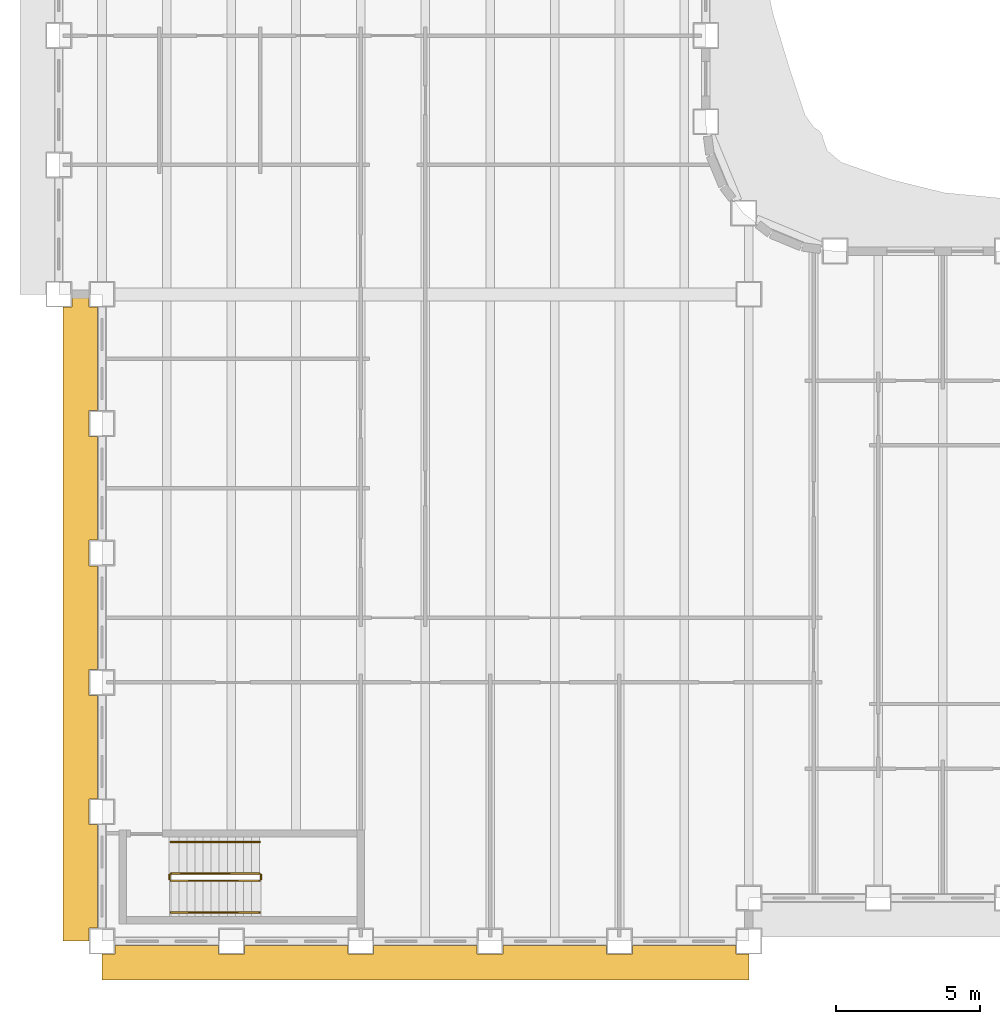
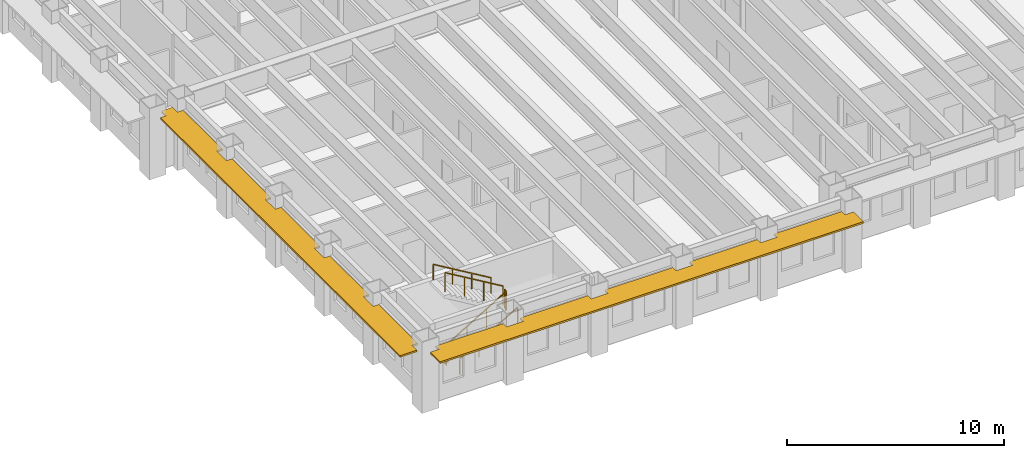
# One storey, part 11 of 16: 6 railings, 2 shading devices.
"""IFC4 building model written with IfcOpenShell, lengths in metres."""

from ifc_helpers import new_model, si_unit, direction, frame, origin, origin_2d, place, context, subcontext, project, spatial, polyline, rectangle, outline, extrude, material, layer, layer_set, type_object, element, save


model = new_model("IFC4")

# Units and contexts
model_context = context("Model", 3, precision=1e-05, world=origin(), true_north=direction((0.0, 1.0)))
body_context = subcontext(model_context, "Body", "Model", "MODEL_VIEW")
ifc_project = project(units=[si_unit("LENGTHUNIT", "METRE"), si_unit("AREAUNIT", "SQUARE_METRE"), si_unit("VOLUMEUNIT", "CUBIC_METRE"), si_unit("PLANEANGLEUNIT", "RADIAN"), si_unit("MASSUNIT", "GRAM", prefix="KILO")], contexts=[model_context])

# Site, building, storey
site_placement = place(None, origin())
site = spatial("IfcSite", under=ifc_project, at=site_placement, CompositionType="ELEMENT")
building_placement = place(site_placement, origin())
building = spatial("IfcBuilding", under=site, at=building_placement, Name="Sennacour Bend Tower", CompositionType="ELEMENT")
storey_placement = place(building_placement, frame((0.0, 0.0, 167.0)))
storey = spatial("IfcBuildingStorey", under=building, at=storey_placement, Name="L38", CompositionType="ELEMENT", Elevation=167.0)

# Railings
ifc_material_1 = material(Name="Stainless steel", Category="steel")
railing_type_1 = type_object("IfcRailingType", Name="RL-GUARD-1100", PredefinedType="GUARDRAIL", material=ifc_material_1)
railing_1_placement = place(storey_placement, frame((2.39990234375, 2.10009765625, 0.166748046875)))
element("IfcRailing", 1, at=railing_1_placement, inside=storey, type_object=railing_type_1, Name="L38 SK1 stair guard 1", PredefinedType="GUARDRAIL", context=body_context, shape_type="SweptSolid", body=[
    extrude(rectangle(XDim=0.048095703125, YDim=0.048095703125, at=origin_2d()), frame((0.0, 0.0, 1.076171875), z_axis=(0.859308565015, 0.0, 0.511457515432), x_axis=(0.0, 1.0, 0.0)), (0.0, 0.0, 1.0), 3.58447265625),
    extrude(rectangle(XDim=0.0419921875, YDim=0.0419921875, at=origin_2d()), origin(), (0.0, 0.0, 1.0), 1.052001953125),
    extrude(rectangle(XDim=0.0419921875, YDim=0.0419921875, at=origin_2d()), frame((1.026611328125, 0.0, 0.611083984375)), (0.0, 0.0, 1.0), 1.052001953125),
    extrude(rectangle(XDim=0.0419921875, YDim=0.0419921875, at=origin_2d()), frame((2.053466796875, 0.0, 1.22216796875)), (0.0, 0.0, 1.0), 1.052001953125),
    extrude(rectangle(XDim=0.0419921875, YDim=0.0419921875, at=origin_2d()), frame((3.080078125, 0.0, 1.833251953125)), (0.0, 0.0, 1.0), 1.052001953125),
])
railing_2_placement = place(storey_placement, frame((5.530029296875, 2.14990234375, 2.0)))
element("IfcRailing", 2, at=railing_2_placement, inside=storey, type_object=railing_type_1, Name="L38 SK1 stair guard 2", PredefinedType="GUARDRAIL", context=body_context, shape_type="SweptSolid", body=[
    extrude(rectangle(XDim=0.048095703125, YDim=0.048095703125, at=origin_2d()), frame((0.0, 0.0, 1.076171875), z_axis=(0.0, 1.0, 0.0), x_axis=(-1.0, 0.0, 0.0)), (0.0, 0.0, 1.0), 0.150146484375),
    extrude(rectangle(XDim=0.0419921875, YDim=0.0419921875, at=origin_2d()), origin(), (0.0, 0.0, 1.0), 1.052001953125),
    extrude(rectangle(XDim=0.0419921875, YDim=0.0419921875, at=origin_2d()), frame((0.0, 0.150146484375, 0.0)), (0.0, 0.0, 1.0), 1.052001953125),
])
railing_3_placement = place(storey_placement, frame((5.47998046875, 2.35009765625, 2.166748046875)))
element("IfcRailing", 3, at=railing_3_placement, inside=storey, type_object=railing_type_1, Name="L38 SK1 stair guard 3", PredefinedType="GUARDRAIL", context=body_context, shape_type="SweptSolid", body=[
    extrude(rectangle(XDim=0.048095703125, YDim=0.048095703125, at=origin_2d()), frame((0.0, 0.0, 1.076171875), z_axis=(-0.859308565015, 0.0, 0.511457515432), x_axis=(0.0, -1.0, 0.0)), (0.0, 0.0, 1.0), 3.58447265625),
    extrude(rectangle(XDim=0.0419921875, YDim=0.0419921875, at=origin_2d()), origin(), (0.0, 0.0, 1.0), 1.052001953125),
    extrude(rectangle(XDim=0.0419921875, YDim=0.0419921875, at=origin_2d()), frame((-1.026611328125, 0.0, 0.611083984375)), (0.0, 0.0, 1.0), 1.052001953125),
    extrude(rectangle(XDim=0.0419921875, YDim=0.0419921875, at=origin_2d()), frame((-2.053466796875, 0.0, 1.22216796875)), (0.0, 0.0, 1.0), 1.052001953125),
    extrude(rectangle(XDim=0.0419921875, YDim=0.0419921875, at=origin_2d()), frame((-3.080078125, 0.0, 1.833251953125)), (0.0, 0.0, 1.0), 1.052001953125),
])
railing_4_placement = place(storey_placement, frame((2.35009765625, 2.14990234375, 0.0)))
element("IfcRailing", 4, at=railing_4_placement, inside=storey, type_object=railing_type_1, Name="L38 SK1 stair guard 4", PredefinedType="GUARDRAIL", context=body_context, shape_type="SweptSolid", body=[
    extrude(rectangle(XDim=0.048095703125, YDim=0.048095703125, at=origin_2d()), frame((0.0, 0.0, 1.076171875), z_axis=(0.0, 1.0, 0.0), x_axis=(-1.0, 0.0, 0.0)), (0.0, 0.0, 1.0), 0.150146484375),
    extrude(rectangle(XDim=0.0419921875, YDim=0.0419921875, at=origin_2d()), origin(), (0.0, 0.0, 1.0), 1.052001953125),
    extrude(rectangle(XDim=0.0419921875, YDim=0.0419921875, at=origin_2d()), frame((0.0, 0.150146484375, 0.0)), (0.0, 0.0, 1.0), 1.052001953125),
])
railing_type_2 = type_object("IfcRailingType", Name="RL-HANDRAIL-900", PredefinedType="HANDRAIL", material=ifc_material_1)
railing_5_placement = place(storey_placement, frame((2.39990234375, 1.0, 0.166748046875)))
element("IfcRailing", 5, at=railing_5_placement, inside=storey, type_object=railing_type_2, Name="L38 SK1 stair handrail 1", PredefinedType="HANDRAIL", context=body_context, shape_type="SweptSolid", body=[
    extrude(rectangle(XDim=0.048095703125, YDim=0.048095703125, at=origin_2d()), frame((0.0, 0.0, 0.8759765625), z_axis=(0.859308565015, 0.0, 0.511457515432), x_axis=(0.0, 1.0, 0.0)), (0.0, 0.0, 1.0), 3.58447265625),
    extrude(rectangle(XDim=0.0419921875, YDim=0.0419921875, at=origin_2d()), origin(), (0.0, 0.0, 1.0), 0.851806640625),
    extrude(rectangle(XDim=0.0419921875, YDim=0.0419921875, at=origin_2d()), frame((1.026611328125, 0.0, 0.611083984375)), (0.0, 0.0, 1.0), 0.851806640625),
    extrude(rectangle(XDim=0.0419921875, YDim=0.0419921875, at=origin_2d()), frame((2.053466796875, 0.0, 1.22216796875)), (0.0, 0.0, 1.0), 0.851806640625),
    extrude(rectangle(XDim=0.0419921875, YDim=0.0419921875, at=origin_2d()), frame((3.080078125, 0.0, 1.833251953125)), (0.0, 0.0, 1.0), 0.851806640625),
])
railing_6_placement = place(storey_placement, frame((5.47998046875, 3.449951171875, 2.166748046875)))
element("IfcRailing", 6, at=railing_6_placement, inside=storey, type_object=railing_type_2, Name="L38 SK1 stair handrail 2", PredefinedType="HANDRAIL", context=body_context, shape_type="SweptSolid", body=[
    extrude(rectangle(XDim=0.048095703125, YDim=0.048095703125, at=origin_2d()), frame((0.0, 0.0, 0.8759765625), z_axis=(-0.859308565015, 0.0, 0.511457515432), x_axis=(0.0, -1.0, 0.0)), (0.0, 0.0, 1.0), 3.58447265625),
    extrude(rectangle(XDim=0.0419921875, YDim=0.0419921875, at=origin_2d()), origin(), (0.0, 0.0, 1.0), 0.851806640625),
    extrude(rectangle(XDim=0.0419921875, YDim=0.0419921875, at=origin_2d()), frame((-1.026611328125, 0.0, 0.611083984375)), (0.0, 0.0, 1.0), 0.851806640625),
    extrude(rectangle(XDim=0.0419921875, YDim=0.0419921875, at=origin_2d()), frame((-2.053466796875, 0.0, 1.22216796875)), (0.0, 0.0, 1.0), 0.851806640625),
    extrude(rectangle(XDim=0.0419921875, YDim=0.0419921875, at=origin_2d()), frame((-3.080078125, 0.0, 1.833251953125)), (0.0, 0.0, 1.0), 0.851806640625),
])

# Shading devices
ifc_material_2 = material(Name="Bronze anodised aluminium", Category="aluminium")
ifc_layer = layer(ifc_material_2, 0.10009765625, Name="Bronze anodised aluminium", Category="aluminium")
ifc_layer_set = layer_set([ifc_layer], Name="Bronze anodised aluminium")
shading_device_type = type_object("IfcShadingDeviceType", Name="SUNSHADE BAND STRAIGHT", PredefinedType="USERDEFINED", material=ifc_layer_set)
shading_device_1_placement = place(storey_placement, frame((0.0, 0.0, 3.049072265625)))
element("IfcShadingDevice", 7, at=shading_device_1_placement, inside=storey, type_object=shading_device_type, Name="Sunshade band L38 K outer face", ObjectType="SUNSHADE", PredefinedType="USERDEFINED", context=body_context, shape_type="SweptSolid", body=[
    extrude(outline(polyline([(4.050048828125, -0.14990234375), (4.050048828125, -0.449951171875), (4.949951171875, -0.449951171875), (4.949951171875, -0.14990234375), (8.550048828125, -0.14990234375), (8.550048828125, -0.449951171875), (9.449951171875, -0.449951171875), (9.449951171875, -0.14990234375), (13.050048828125, -0.14990234375), (13.050048828125, -0.449951171875), (13.949951171875, -0.449951171875), (13.949951171875, -0.14990234375), (17.550048828125, -0.14990234375), (17.550048828125, -0.449951171875), (18.449951171875, -0.449951171875), (18.449951171875, -0.14990234375), (22.050048828125, -0.14990234375), (22.050048828125, -0.449951171875), (22.5, -0.449951171875), (22.5, -1.35009765625), (0.0, -1.35009765625), (0.0, -0.449951171875), (0.449951171875, -0.449951171875), (0.449951171875, -0.14990234375), (4.050048828125, -0.14990234375)])), origin(), (0.0, 0.0, 1.0), 0.099853515625),
])
shading_device_2_placement = place(storey_placement, frame((0.0, 0.0, 3.049072265625)))
element("IfcShadingDevice", 8, at=shading_device_2_placement, inside=storey, type_object=shading_device_type, Name="Sunshade band L38 K outer face", ObjectType="SUNSHADE", PredefinedType="USERDEFINED", context=body_context, shape_type="SweptSolid", body=[
    extrude(outline(polyline([(-0.14990234375, 18.449951171875), (-0.449951171875, 18.449951171875), (-0.449951171875, 17.550048828125), (-0.14990234375, 17.550048828125), (-0.14990234375, 13.949951171875), (-0.449951171875, 13.949951171875), (-0.449951171875, 13.050048828125), (-0.14990234375, 13.050048828125), (-0.14990234375, 9.449951171875), (-0.449951171875, 9.449951171875), (-0.449951171875, 8.550048828125), (-0.14990234375, 8.550048828125), (-0.14990234375, 4.949951171875), (-0.449951171875, 4.949951171875), (-0.449951171875, 4.050048828125), (-0.14990234375, 4.050048828125), (-0.14990234375, 0.449951171875), (-0.449951171875, 0.449951171875), (-0.449951171875, 0.0), (-1.35009765625, 0.0), (-1.35009765625, 22.050048828125), (-1.050048828125, 22.050048828125), (-1.050048828125, 22.5), (-0.449951171875, 22.5), (-0.449951171875, 22.050048828125), (-0.14990234375, 22.050048828125), (-0.14990234375, 18.449951171875)])), origin(), (0.0, 0.0, 1.0), 0.099853515625),
])

save(model, "model.ifc")
